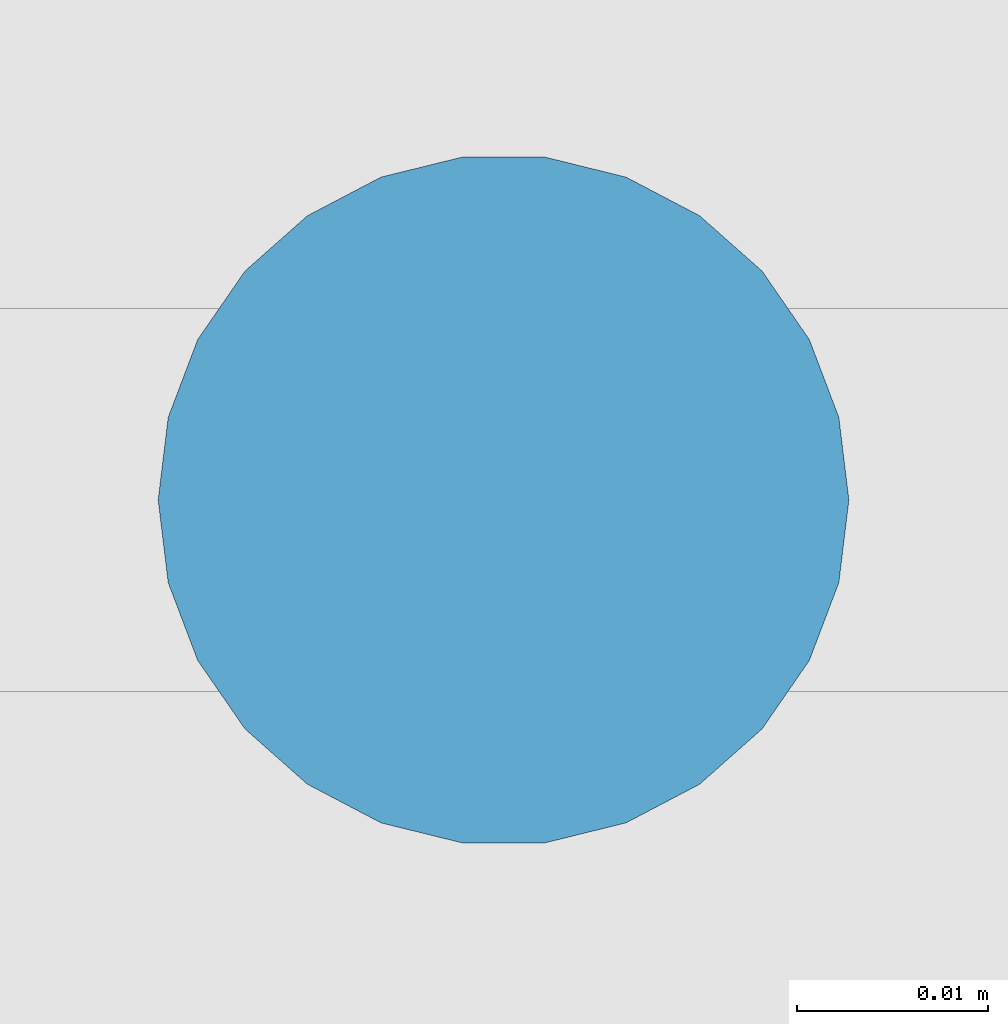
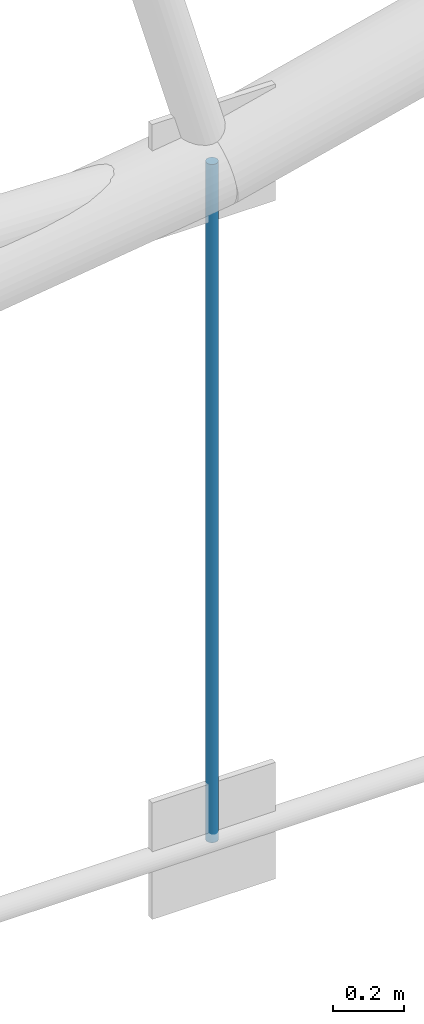
# One storey, part 16 of 321: 1 member.
"""IFC4 building model written with IfcOpenShell, lengths in metres."""

from ifc_helpers import new_model, si_unit, direction, frame, origin, origin_2d, place, context, subcontext, project, spatial, circle, extrude, material, material_profile, profile_set, type_object, element, save


model = new_model("IFC4")

# Units and contexts
model_context = context("Model", 3, precision=1e-05, world=origin(), true_north=direction((0.0, 1.0)))
body_context = subcontext(model_context, "Body", "Model", "MODEL_VIEW")
ifc_project = project(units=[si_unit("LENGTHUNIT", "METRE"), si_unit("AREAUNIT", "SQUARE_METRE"), si_unit("VOLUMEUNIT", "CUBIC_METRE"), si_unit("PLANEANGLEUNIT", "RADIAN"), si_unit("MASSUNIT", "GRAM", prefix="KILO")], contexts=[model_context])

# Site, building, storey
site_placement = place(None, origin())
site = spatial("IfcSite", under=ifc_project, at=site_placement, CompositionType="ELEMENT")
building_placement = place(site_placement, origin())
building = spatial("IfcBuilding", under=site, at=building_placement, Name="Ravi Spectrum Wholesale Market", CompositionType="ELEMENT")
storey_placement = place(building_placement, frame((0.0, 0.0, 10.800048828125)))
storey = spatial("IfcBuildingStorey", under=building, at=storey_placement, Name="L02", CompositionType="ELEMENT", Elevation=10.800048828125)

# Member
ifc_material = material(Name="Steel S355", Category="steel")
ifc_material_profile = material_profile(ifc_material, circle(Radius=0.01806640625, at=origin_2d()))
ifc_profile_set = profile_set([ifc_material_profile], Name="Steel S355")
member_type = type_object("IfcMemberType", Name="ROD 36 hanger", PredefinedType="STRUT", material=ifc_profile_set)
member_placement = place(storey_placement, frame((43.55029296875, 42.0, 0.023193359375), z_axis=(0.0, 0.0, 1.0), x_axis=(1.0, 0.0, 0.0)))
element("IfcMember", 1, at=member_placement, inside=storey, type_object=member_type, Name="H1-MB-L02-158", PredefinedType="STRUT", context=body_context, shape_type="SweptSolid", body=[
    extrude(circle(Radius=0.01806640625, at=origin_2d()), origin(), (0.0, 0.0, 1.0), 2.328857421875),
])

save(model, "model.ifc")
